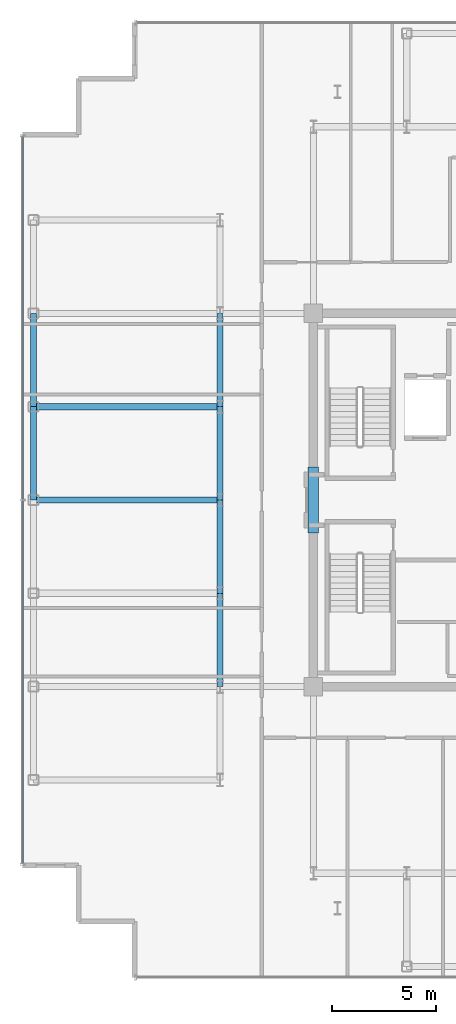
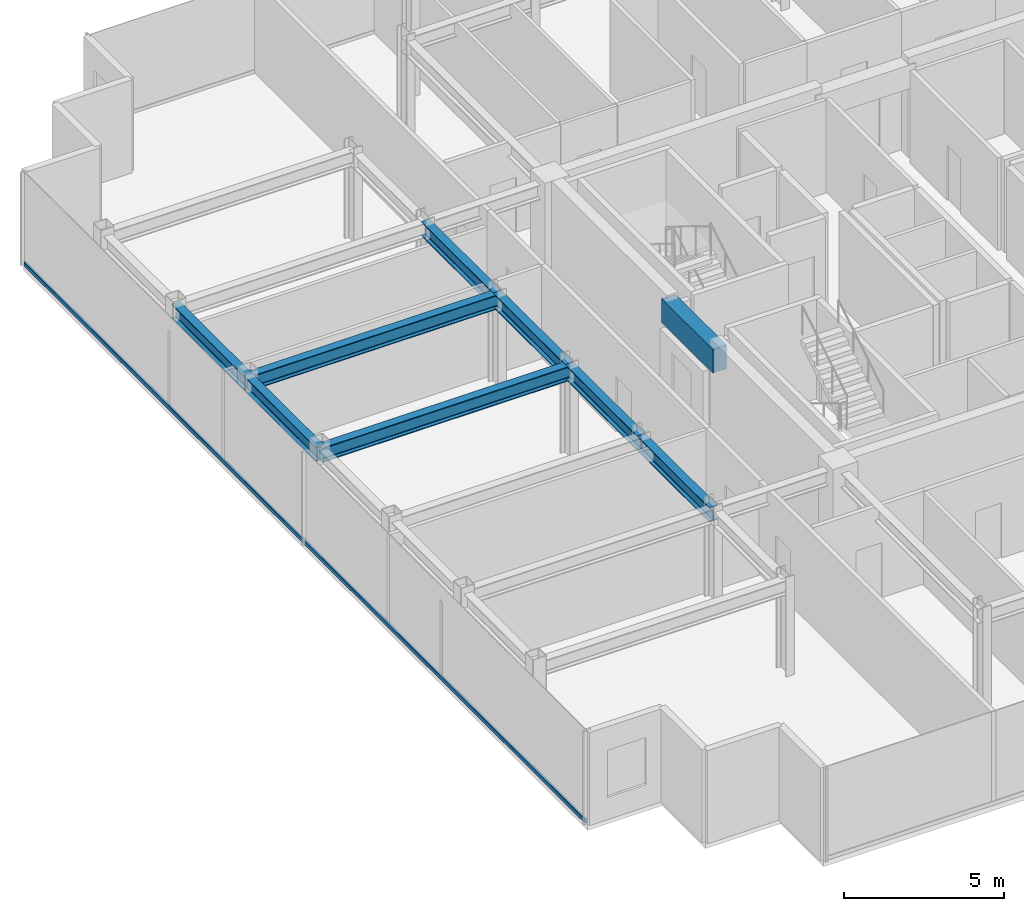
# One storey, part 5 of 17: 9 beams, 1 member, 1 element without a shape of its own.
"""IFC4 building model written with IfcOpenShell, lengths in metres."""

from ifc_helpers import new_model, si_unit, direction, frame, origin, origin_2d, place, context, subcontext, project, spatial, rectangle, hollow_rectangle, i_section, extrude, source, transform, mapped, material, layer, layer_set, material_profile, profile_set, type_object, element, aggregate, save


model = new_model("IFC4")

# Units and contexts
model_context = context("Model", 3, precision=1e-05, world=origin(), true_north=direction((0.0, 1.0)))
body_context = subcontext(model_context, "Body", "Model", "MODEL_VIEW")
ifc_project = project(units=[si_unit("LENGTHUNIT", "METRE"), si_unit("AREAUNIT", "SQUARE_METRE"), si_unit("VOLUMEUNIT", "CUBIC_METRE"), si_unit("PLANEANGLEUNIT", "RADIAN"), si_unit("MASSUNIT", "GRAM", prefix="KILO")], contexts=[model_context])

# Site, building, storey
site_placement = place(None, origin())
site = spatial("IfcSite", under=ifc_project, at=site_placement, CompositionType="ELEMENT")
building_placement = place(site_placement, origin())
building = spatial("IfcBuilding", under=site, at=building_placement, Name="Nefas-Gora Pilgrimage Tower", CompositionType="ELEMENT")
storey_placement = place(building_placement, frame((0.0, 0.0, 341.39990234375)))
storey = spatial("IfcBuildingStorey", under=building, at=storey_placement, Name="L86", CompositionType="ELEMENT", Elevation=341.39990234375)

# Beams
ifc_material_1 = material(Name="Concrete C50/60", Category="concrete")
ifc_material_profile_1 = material_profile(ifc_material_1, rectangle(XDim=0.5, YDim=0.89990234375, at=origin_2d()), Name="RC 500x900")
ifc_profile_set_1 = profile_set([ifc_material_profile_1], Name="Concrete C50/60")
beam_type_1 = type_object("IfcBeamType", Name="BM-LIN-RC900", PredefinedType="LINTEL", material=ifc_profile_set_1)
shared_shape_1 = source(origin(), body_context, "Body", "SweptSolid", [
    extrude(rectangle(XDim=0.5, YDim=0.89990234375, at=origin_2d()), origin(), (0.0, 0.0, 1.0), 3.2001953125),
])
beam_placement = place(storey_placement, frame((-11.25, -1.60009765625, 3.10009765625), z_axis=(0.0, 1.0, 0.0), x_axis=(-1.0, 0.0, 0.0)))
element("IfcBeam", 1, at=beam_placement, inside=storey, type_object=beam_type_1, Name="L86 Core Coupling Lintel Beam W", PredefinedType="LINTEL", context=body_context, shape_type="MappedRepresentation", body=[
    mapped(shared_shape_1, transform((0.0, 0.0, 0.0), x_axis=(1.0, 0.0, 0.0), y_axis=(0.0, 1.0, 0.0), z_axis=(0.0, 0.0, 1.0), scale=1.0)),
])
ifc_material_2 = material(Name="Steel S355", Category="steel")
ifc_material_profile_2 = material_profile(ifc_material_2, i_section(OverallWidth=0.300048828125, OverallDepth=0.550048828125, WebThickness=0.014892578125, FlangeThickness=0.029052734375, FilletRadius=0.027099609375, at=origin_2d()), Name="HEB 550")
ifc_profile_set_2 = profile_set([ifc_material_profile_2], Name="Steel S355")
beam_type_2 = type_object("IfcBeamType", Name="BM-SPN-HEB400", PredefinedType="SPANDREL", material=ifc_profile_set_2)
shared_shape_2 = source(origin(), body_context, "Body", "SweptSolid", [
    extrude(i_section(OverallWidth=0.300048828125, OverallDepth=0.550048828125, WebThickness=0.014892578125, FlangeThickness=0.029052734375, FilletRadius=0.027099609375, at=origin_2d()), origin(), (0.0, 0.0, 1.0), 4.5),
])
for number, where, z_axis, x_axis, name in (
    (2, (-24.75, 0.0, 3.275146484375), (0.0, 1.0, 0.0), (-1.0, 0.0, 0.0), "L86 SP-04 beam"),
    (3, (-24.75, 4.5, 3.275146484375), (0.0, 1.0, 0.0), (-1.0, 0.0, 0.0), "L86 SP-04 beam"),
):
    element("IfcBeam", number, at=place(storey_placement, frame(where, z_axis=z_axis, x_axis=x_axis)), inside=storey, type_object=beam_type_2, Name=name, PredefinedType="SPANDREL", context=body_context, shape_type="MappedRepresentation", body=[
        mapped(shared_shape_2, transform((0.0, 0.0, 0.0), x_axis=(1.0, 0.0, 0.0), y_axis=(0.0, 1.0, 0.0), z_axis=(0.0, 0.0, 1.0), scale=1.0)),
    ])
ifc_material_profile_3 = material_profile(ifc_material_2, i_section(OverallWidth=0.300048828125, OverallDepth=0.550048828125, WebThickness=0.014892578125, FlangeThickness=0.029052734375, FilletRadius=0.027099609375, at=origin_2d()), Name="HEB 550")
ifc_profile_set_3 = profile_set([ifc_material_profile_3], Name="Steel S355")
beam_type_3 = type_object("IfcBeamType", Name="BM-GIR-HEB550", PredefinedType="BEAM", material=ifc_profile_set_3)
shared_shape_3 = source(origin(), body_context, "Body", "SweptSolid", [
    extrude(i_section(OverallWidth=0.300048828125, OverallDepth=0.550048828125, WebThickness=0.014892578125, FlangeThickness=0.029052734375, FilletRadius=0.027099609375, at=origin_2d()), origin(), (0.0, 0.0, 1.0), 9.0),
])
for number, where, z_axis, x_axis, name in (
    (4, (-24.75, 0.0, 3.275146484375), (1.0, 0.0, 0.0), (0.0, 1.0, 0.0), "L86 G-05 beam"),
    (5, (-24.75, 4.5, 3.275146484375), (1.0, 0.0, 0.0), (0.0, 1.0, 0.0), "L86 G-05 beam"),
):
    element("IfcBeam", number, at=place(storey_placement, frame(where, z_axis=z_axis, x_axis=x_axis)), inside=storey, type_object=beam_type_3, Name=name, PredefinedType="BEAM", context=body_context, shape_type="MappedRepresentation", body=[
        mapped(shared_shape_3, transform((0.0, 0.0, 0.0), x_axis=(1.0, 0.0, 0.0), y_axis=(0.0, 1.0, 0.0), z_axis=(0.0, 0.0, 1.0), scale=1.0)),
    ])
shared_shape_4 = source(origin(), body_context, "Body", "SweptSolid", [
    extrude(i_section(OverallWidth=0.300048828125, OverallDepth=0.550048828125, WebThickness=0.014892578125, FlangeThickness=0.029052734375, FilletRadius=0.027099609375, at=origin_2d()), origin(), (0.0, 0.0, 1.0), 4.5),
])
for number, where, z_axis, x_axis, name in (
    (6, (-15.75, -9.0, 3.275146484375), (0.0, 1.0, 0.0), (-1.0, 0.0, 0.0), "L86 G-05 beam"),
    (7, (-15.75, -4.5, 3.275146484375), (0.0, 1.0, 0.0), (-1.0, 0.0, 0.0), "L86 G-05 beam"),
    (8, (-15.75, 0.0, 3.275146484375), (0.0, 1.0, 0.0), (-1.0, 0.0, 0.0), "L86 G-05 beam"),
    (9, (-15.75, 4.5, 3.275146484375), (0.0, 1.0, 0.0), (-1.0, 0.0, 0.0), "L86 G-05 beam"),
):
    element("IfcBeam", number, at=place(storey_placement, frame(where, z_axis=z_axis, x_axis=x_axis)), inside=storey, type_object=beam_type_3, Name=name, PredefinedType="BEAM", context=body_context, shape_type="MappedRepresentation", body=[
        mapped(shared_shape_4, transform((0.0, 0.0, 0.0), x_axis=(1.0, 0.0, 0.0), y_axis=(0.0, 1.0, 0.0), z_axis=(0.0, 0.0, 1.0), scale=1.0)),
    ])

# Curtain wall, member
ifc_material_3 = material(Name="Dark ceramic-fritted solar-control aluminium-glass curtain wall", Category="aluminium")
ifc_layer = layer(ifc_material_3, 0.219970703125)
ifc_layer_set = layer_set([ifc_layer], Name="Dark ceramic-fritted solar-control aluminium-glass curtain wall")
curtain_wall_type = type_object("IfcCurtainWallType", Name="CW-SYS-4", PredefinedType="NOTDEFINED", material=ifc_layer_set)
curtain_wall_placement = place(storey_placement, origin())
curtain_wall = element("IfcCurtainWall", 10, at=curtain_wall_placement, inside=storey, type_object=curtain_wall_type, Name="L86 Unitised Curtain Wall CW4", PredefinedType="NOTDEFINED")
ifc_material_4 = material(Name="Anodised architectural aluminium", Category="aluminium")
ifc_material_profile_4 = material_profile(ifc_material_4, hollow_rectangle(XDim=0.080078125, YDim=0.159912109375, WallThickness=0.00439453125, InnerFilletRadius=0.00439453125, OuterFilletRadius=0.009033203125, at=origin_2d()), Name="ALU TRANSOM 80x160")
ifc_profile_set_4 = profile_set([ifc_material_profile_4], Name="Anodised architectural aluminium")
member_type = type_object("IfcMemberType", Name="CWM-TRN-4", PredefinedType="USERDEFINED", material=ifc_profile_set_4)
shared_shape_5 = source(origin(), body_context, "Body", "SweptSolid", [
    extrude(hollow_rectangle(XDim=0.080078125, YDim=0.159912109375, WallThickness=0.00439453125, InnerFilletRadius=0.00439453125, OuterFilletRadius=0.009033203125, at=origin_2d()), origin(), (0.0, 0.0, 1.0), 35.06005859375),
])
member_placement = place(storey_placement, frame((-25.27001953125, 17.530029296875, 0.050048828125), z_axis=(0.0, -1.0, 0.0), x_axis=(1.0, 0.0, 0.0)))
member = element("IfcMember", 11, at=member_placement, type_object=member_type, Name="CW4 Spandrel Transom", ObjectType="TRANSOM", PredefinedType="USERDEFINED", context=body_context, shape_type="MappedRepresentation", body=[
    mapped(shared_shape_5, transform((0.0, 0.0, 0.0), x_axis=(1.0, 0.0, 0.0), y_axis=(0.0, 1.0, 0.0), z_axis=(0.0, 0.0, 1.0), scale=1.0)),
])
aggregate(curtain_wall, [member])

save(model, "model.ifc")
